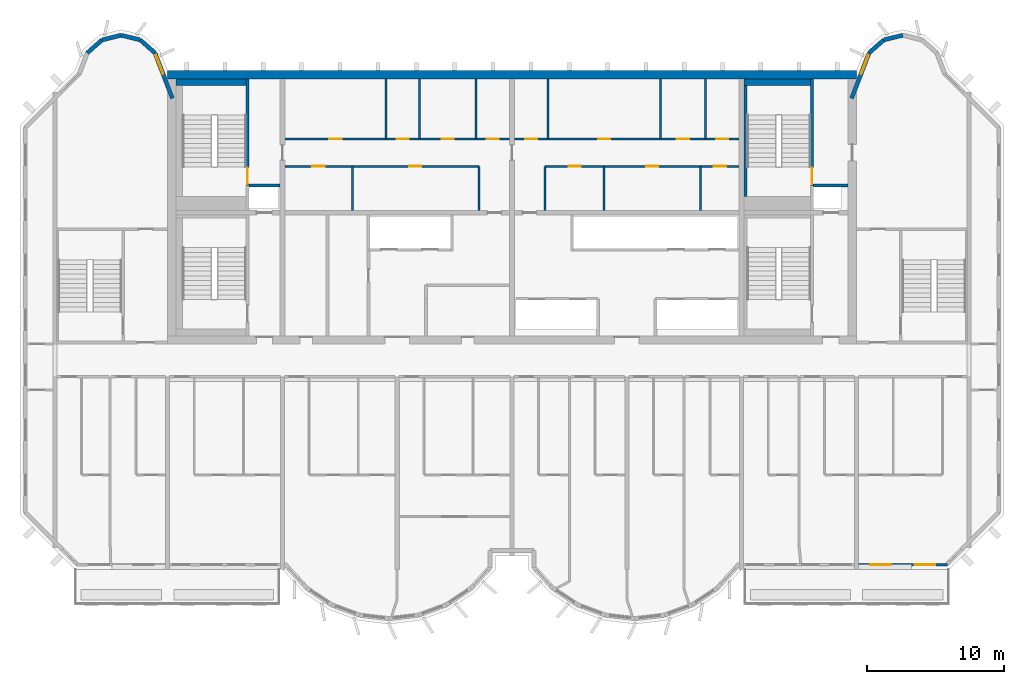
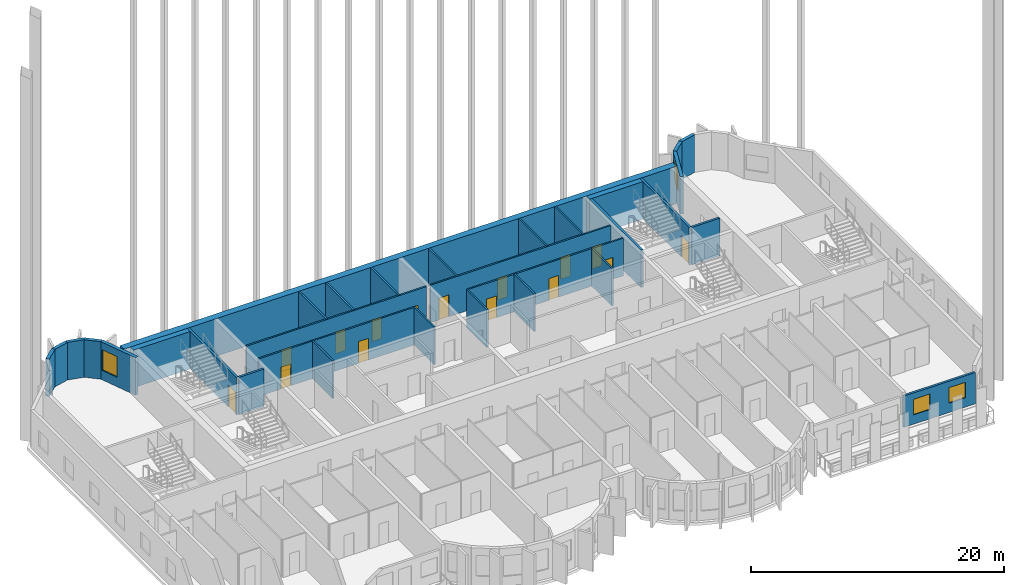
# One storey, part 7 of 13: 32 walls, 15 doors, 4 windows, 19 openings.
"""IFC4 building model written with IfcOpenShell, lengths in metres."""

import ifcopenshell
import ifcopenshell.guid

model = None  # the IFC model being written
_history = None  # IfcOwnerHistory: only IFC2X3 demands one
_inside = {}  # id of a spatial element -> (the spatial element, [elements in it])
_under = {}  # id of a project, library or spatial element -> (it, [spatial elements below it])
_declared = {}  # id of a project -> (the project, [libraries it declares])
_typed = {}  # id of a type object -> (the type object, [elements of that type])
_made_of = {}  # id of a material, layer set ... -> (it, [elements and type objects made of it])


def new_model(schema):
    """Start an empty IFC model of exactly this schema.

    Asked for "IFC4X3", IfcOpenShell would pick the latest addendum, in which some entities
    have other attributes; the version numbers below select the first issue.
    IFC2X3 requires an IfcOwnerHistory on every rooted entity: one is made here for all.
    """
    global model, _history
    if schema == "IFC4X3":
        model = ifcopenshell.file(schema_version=(4, 3, 0, 0))
    else:
        model = ifcopenshell.file(schema=schema)
    _inside.clear()
    _under.clear()
    _declared.clear()
    _typed.clear()
    _made_of.clear()
    _history = None
    if model.schema == "IFC2X3":
        org = make("IfcOrganization", Name="unknown")
        user = make(
            "IfcPersonAndOrganization",
            ThePerson=make("IfcPerson", FamilyName="unknown"),
            TheOrganization=org,
        )
        app = make(
            "IfcApplication",
            ApplicationDeveloper=org,
            Version="unknown",
            ApplicationFullName="unknown",
            ApplicationIdentifier="unknown",
        )
        _history = make(
            "IfcOwnerHistory",
            OwningUser=user,
            OwningApplication=app,
            ChangeAction="ADDED",
            CreationDate=0,
        )
    return model


def make(cls, **values):
    """One entity of the class cls with the attributes given. An attribute that is None is left unset."""
    return model.create_entity(
        cls, **{name: value for name, value in values.items() if value is not None}
    )


def rooted(cls, **values):
    """An entity with a GlobalId (a new one), such as an element, a storey or a relation."""
    return make(cls, GlobalId=ifcopenshell.guid.new(), OwnerHistory=_history, **values)


def si_unit(unit_type, name, prefix=None):
    """IfcSIUnit, for example si_unit("LENGTHUNIT", "METRE", prefix="MILLI")."""
    return make("IfcSIUnit", UnitType=unit_type, Prefix=prefix, Name=name)


def assignment(units):
    """IfcUnitAssignment: the units of a project."""
    return None if units is None else make("IfcUnitAssignment", Units=units)


def point(xyz):
    """IfcCartesianPoint."""
    return None if xyz is None else make("IfcCartesianPoint", Coordinates=xyz)


def direction(xyz):
    """IfcDirection."""
    return None if xyz is None else make("IfcDirection", DirectionRatios=xyz)


def frame(location, z_axis=None, x_axis=None):
    """IfcAxis2Placement3D, a coordinate frame: its origin and axes. An axis left out is left unset."""
    return make(
        "IfcAxis2Placement3D",
        Location=point(location),
        Axis=direction(z_axis),
        RefDirection=direction(x_axis),
    )


def frame_2d(location, x_axis=None):
    """IfcAxis2Placement2D, a coordinate frame in the plane: its origin and x axis."""
    return make(
        "IfcAxis2Placement2D", Location=point(location), RefDirection=direction(x_axis)
    )


def origin():
    """The frame at (0, 0, 0) with its axes left unset."""
    return frame((0.0, 0.0, 0.0))


def place(relative_to, where):
    """IfcLocalPlacement: puts the frame where relative to a parent placement (None: the world)."""
    return make(
        "IfcLocalPlacement", PlacementRelTo=relative_to, RelativePlacement=where
    )


def context(
    kind, dimensions, precision=None, world=None, true_north=None, identifier=None
):
    """IfcGeometricRepresentationContext, for example the 3D "Model" context."""
    return make(
        "IfcGeometricRepresentationContext",
        ContextIdentifier=identifier,
        ContextType=kind,
        CoordinateSpaceDimension=dimensions,
        Precision=precision,
        WorldCoordinateSystem=world,
        TrueNorth=true_north,
    )


def subcontext(parent, identifier, kind, view, scale=None):
    """IfcGeometricRepresentationSubContext, for example "Body" below "Model"."""
    return make(
        "IfcGeometricRepresentationSubContext",
        ContextIdentifier=identifier,
        ContextType=kind,
        ParentContext=parent,
        TargetScale=scale,
        TargetView=view,
    )


def project(units=None, contexts=None):
    """IfcProject with its units and contexts."""
    return rooted(
        "IfcProject",
        Name="project",
        RepresentationContexts=contexts,
        UnitsInContext=assignment(units),
    )


def spatial(cls, under=None, at=None, **own):
    """A site, building, storey or space (cls), placed at a placement, below another one or the project."""
    s = rooted(cls, ObjectPlacement=at, **own)
    if under is not None:
        _under.setdefault(under.id(), (under, []))[1].append(s)
    return s


def profile(cls, at=None, kind="AREA", **sizes):
    """A parametric profile (cls). Its sizes go by their IFC names, for example OverallWidth=200.0."""
    return make(cls, ProfileType=kind, Position=at, **sizes)


def rectangle(**sizes):
    """IfcRectangleProfileDef."""
    return profile("IfcRectangleProfileDef", **sizes)


def extrude(swept, where, along, depth):
    """IfcExtrudedAreaSolid: the profile swept, set in the frame where, extruded along a direction by depth."""
    return make(
        "IfcExtrudedAreaSolid",
        SweptArea=swept,
        Position=where,
        ExtrudedDirection=direction(along),
        Depth=depth,
    )


def shape(context_of_items, identifier, shape_type, items):
    """IfcShapeRepresentation: the items that make up one representation, for example the "Body"."""
    return make(
        "IfcShapeRepresentation",
        ContextOfItems=context_of_items,
        RepresentationIdentifier=identifier,
        RepresentationType=shape_type,
        Items=items,
    )


def source(mapping_origin, context_of_items, identifier, shape_type, items):
    """IfcRepresentationMap: a shape defined once, which mapped items show again and again."""
    return make(
        "IfcRepresentationMap",
        MappingOrigin=mapping_origin,
        MappedRepresentation=shape(context_of_items, identifier, shape_type, items),
    )


def transform(
    local_origin,
    x_axis=None,
    y_axis=None,
    z_axis=None,
    scale=None,
    scale2=None,
    scale3=None,
    uniform=True,
):
    """IfcCartesianTransformationOperator3D, or its non-uniform kind. x_axis, y_axis, z_axis: its Axis1, 2, 3."""
    if uniform:
        return make(
            "IfcCartesianTransformationOperator3D",
            Axis1=direction(x_axis),
            Axis2=direction(y_axis),
            LocalOrigin=point(local_origin),
            Scale=scale,
            Axis3=direction(z_axis),
        )
    return make(
        "IfcCartesianTransformationOperator3DnonUniform",
        Axis1=direction(x_axis),
        Axis2=direction(y_axis),
        LocalOrigin=point(local_origin),
        Scale=scale,
        Axis3=direction(z_axis),
        Scale2=scale2,
        Scale3=scale3,
    )


def mapped(mapping_source, mapping_target):
    """IfcMappedItem: shows the shape of a source again, moved by a transform."""
    return make(
        "IfcMappedItem", MappingSource=mapping_source, MappingTarget=mapping_target
    )


def material(Name=None, Category=None):
    """IfcMaterial."""
    return make("IfcMaterial", Name=Name, Category=Category)


def layer(
    of_material, thickness, ventilated=None, Name=None, Category=None, Priority=None
):
    """IfcMaterialLayer: one layer of a wall or slab, of a material (None: an air gap)."""
    return make(
        "IfcMaterialLayer",
        Material=of_material,
        LayerThickness=thickness,
        IsVentilated=ventilated,
        Name=Name,
        Category=Category,
        Priority=Priority,
    )


def layer_set(layers, Name=None):
    """IfcMaterialLayerSet."""
    return make("IfcMaterialLayerSet", MaterialLayers=layers, LayerSetName=Name)


def made_of(thing, what):
    """Note that an element or type object is made of a material, layer set ...; save() writes the relation."""
    if what is not None:
        _made_of.setdefault(what.id(), (what, []))[1].append(thing)
    return thing


def type_object(cls, material=None, **own):
    """A type object (cls), such as IfcWallType, which elements share."""
    return made_of(rooted(cls, **own), material)


def element(
    cls,
    number,
    at=None,
    inside=None,
    cuts=None,
    type_object=None,
    material=None,
    context=None,
    identifier="Body",
    shape_type=None,
    held_by="IfcProductDefinitionShape",
    body=None,
    shapes=None,
    **own,
):
    """One element of the class cls, such as IfcWall. Its Tag is "e" and its number.

    at: its placement. inside: the storey or other place that contains it. cuts: it is an
    opening in that element (IfcRelVoidsElement). A single representation is given by context,
    identifier, shape_type and body (its items); several are given by shapes. held_by: the class
    of the entity that holds the representations. save() writes the other relations.
    """
    e = rooted(cls, Tag="e%d" % number, ObjectPlacement=at, **own)
    if body is not None:
        shapes = [shape(context, identifier, shape_type, body)]
    if shapes is not None:
        e.Representation = make(held_by, Representations=shapes)
    if inside is not None:
        _inside.setdefault(inside.id(), (inside, []))[1].append(e)
    if cuts is not None:
        rooted(
            "IfcRelVoidsElement", RelatingBuildingElement=cuts, RelatedOpeningElement=e
        )
    if type_object is not None:
        _typed.setdefault(type_object.id(), (type_object, []))[1].append(e)
    return made_of(e, material)


def fill(opening, filler):
    """IfcRelFillsElement: the door or window that sits in an opening."""
    return rooted(
        "IfcRelFillsElement",
        RelatingOpeningElement=opening,
        RelatedBuildingElement=filler,
    )


def aggregate(whole, parts):
    """IfcRelAggregates: a whole, such as a stair, and the parts it consists of."""
    return rooted("IfcRelAggregates", RelatingObject=whole, RelatedObjects=parts)


def save(model, path):
    """Write the relations noted so far, then the file.

    IfcRelAggregates (storeys below a building ...), IfcRelContainedInSpatialStructure (elements
    in a storey), IfcRelDefinesByType, IfcRelAssociatesMaterial and IfcRelDeclares: one each for
    every whole, place, type object, material and project.
    """
    for whole, parts in _under.values():
        aggregate(whole, parts)
    for where, things in _inside.values():
        rooted(
            "IfcRelContainedInSpatialStructure",
            RelatedElements=things,
            RelatingStructure=where,
        )
    for kind, things in _typed.values():
        rooted("IfcRelDefinesByType", RelatedObjects=things, RelatingType=kind)
    for what, things in _made_of.values():
        rooted("IfcRelAssociatesMaterial", RelatedObjects=things, RelatingMaterial=what)
    for by, libraries in _declared.values():
        rooted("IfcRelDeclares", RelatingContext=by, RelatedDefinitions=libraries)
    model.write(path)


model = new_model("IFC4")

# Units and contexts
model_context = context("Model", 3, precision=1e-05, world=origin(), true_north=direction((0.0, 1.0)))
body_context = subcontext(model_context, "Body", "Model", "MODEL_VIEW")
ifc_project = project(units=[si_unit("LENGTHUNIT", "METRE"), si_unit("AREAUNIT", "SQUARE_METRE"), si_unit("VOLUMEUNIT", "CUBIC_METRE"), si_unit("PLANEANGLEUNIT", "RADIAN"), si_unit("MASSUNIT", "GRAM", prefix="KILO")], contexts=[model_context])

# Site, building, storey
site_placement = place(None, origin())
site = spatial("IfcSite", under=ifc_project, at=site_placement, CompositionType="ELEMENT")
building_placement = place(site_placement, origin())
building = spatial("IfcBuilding", under=site, at=building_placement, Name="Vanashikhar Sky Hotel", CompositionType="ELEMENT")
storey_placement = place(building_placement, frame((0.0, 0.0, 214.0)))
storey = spatial("IfcBuildingStorey", under=building, at=storey_placement, Name="L51", CompositionType="ELEMENT", Elevation=214.0)

# Wall
ifc_material_1 = material(Name="Concrete M60", Category="concrete")
ifc_layer_1 = layer(ifc_material_1, 0.60009765625)
ifc_layer_set_1 = layer_set([ifc_layer_1], Name="RC core shell wall 600 Concrete M60")
wall_type_1 = type_object("IfcWallType", Name="RC core shell wall 600 Concrete M60", PredefinedType="SHEAR", material=ifc_layer_set_1)
shared_shape_1 = source(origin(), body_context, "Body", "SweptSolid", [
    extrude(rectangle(XDim=50.400146484375, YDim=0.60009765625, at=frame_2d((25.2001953125, 0.0))), origin(), (0.0, 0.0, 1.0), 3.6201171875),
])
wall_1_placement = place(storey_placement, frame((25.199951171875, 41.699951171875, 0.0), z_axis=(0.0, 0.0, 1.0), x_axis=(1.0, 0.0, 0.0)))
element("IfcWall", 1, at=wall_1_placement, inside=storey, type_object=wall_type_1, Name="KW-L51-KN", PredefinedType="SHEAR", context=body_context, shape_type="MappedRepresentation", body=[
    mapped(shared_shape_1, transform((0.0, 0.0, 0.0), scale=1.0)),
])

# Wall, openings, windows
ifc_material_2 = material(Name="Concrete M50", Category="concrete")
ifc_layer_2 = layer(ifc_material_2, 0.199951171875)
ifc_layer_set_2 = layer_set([ifc_layer_2], Name="Front window wall 200")
wall_type_2 = type_object("IfcWallType", Name="Front window wall 200", PredefinedType="SOLIDWALL", material=ifc_layer_set_2)
shared_shape_2 = source(origin(), body_context, "Body", "SweptSolid", [
    extrude(rectangle(XDim=6.5048828125, YDim=0.199951171875, at=frame_2d((3.25244140625, 0.0))), origin(), (0.0, 0.0, 1.0), 3.02001953125),
])
wall_2_placement = place(storey_placement, frame((75.75, 5.85009765625, 0.0), z_axis=(0.0, 0.0, 1.0), x_axis=(1.0, 0.0, 0.0)))
wall_2 = element("IfcWall", 2, at=wall_2_placement, inside=storey, type_object=wall_type_2, Name="Front window wall", PredefinedType="SOLIDWALL", context=body_context, shape_type="MappedRepresentation", body=[
    mapped(shared_shape_2, transform((0.0, 0.0, 0.0), scale=1.0)),
])
shared_shape_3 = source(origin(), body_context, "Body", "SweptSolid", [
    extrude(rectangle(XDim=1.5, YDim=1.5, at=frame_2d((0.75, 0.75))), frame((0.0, 0.10986328125, 0.0), z_axis=(0.0, -1.0, 0.0), x_axis=(1.0, 0.0, 0.0)), (0.0, 0.0, 1.0), 0.219970703125),
])
opening_1_placement = place(wall_2_placement, frame((0.876220703125, 0.0, 0.89990234375)))
opening_1 = element("IfcOpeningElement", 3, at=opening_1_placement, cuts=wall_2, Name="Opening WN-1", PredefinedType="OPENING", context=body_context, shape_type="MappedRepresentation", body=[
    mapped(shared_shape_3, transform((0.0, 0.0, 0.0), scale=1.0)),
])
opening_2_placement = place(wall_2_placement, frame((4.128662109375, 0.0, 0.89990234375)))
opening_2 = element("IfcOpeningElement", 4, at=opening_2_placement, cuts=wall_2, Name="Opening WN-1", PredefinedType="OPENING", context=body_context, shape_type="MappedRepresentation", body=[
    mapped(shared_shape_3, transform((0.0, 0.0, 0.0), scale=1.0)),
])
ifc_material_3 = material(Name="Glass", Category="glass")
window_type_1 = type_object("IfcWindowType", Name="Window 1500 x 1500", PartitioningType="SINGLE_PANEL", PredefinedType="WINDOW", material=ifc_material_3)
shared_shape_4 = source(origin(), body_context, "Body", "SweptSolid", [
    extrude(rectangle(XDim=1.5, YDim=1.5, at=frame_2d((0.75, 0.75))), frame((0.0, 0.030029296875, 0.0), z_axis=(0.0, -1.0, 0.0), x_axis=(1.0, 0.0, 0.0)), (0.0, 0.0, 1.0), 0.06005859375),
])
window_1_placement = place(opening_1_placement, origin())
window_1 = element("IfcWindow", 5, at=window_1_placement, inside=storey, type_object=window_type_1, Name="Window WN-1", OverallHeight=1.5, OverallWidth=1.5, PartitioningType="SINGLE_PANEL", PredefinedType="WINDOW", context=body_context, shape_type="MappedRepresentation", body=[
    mapped(shared_shape_4, transform((0.0, 0.0, 0.0), scale=1.0)),
])
fill(opening_1, window_1)
window_2_placement = place(opening_2_placement, origin())
window_2 = element("IfcWindow", 6, at=window_2_placement, inside=storey, type_object=window_type_1, Name="Window WN-1", OverallHeight=1.5, OverallWidth=1.5, PartitioningType="SINGLE_PANEL", PredefinedType="WINDOW", context=body_context, shape_type="MappedRepresentation", body=[
    mapped(shared_shape_4, transform((0.0, 0.0, 0.0), scale=1.0)),
])
fill(opening_2, window_2)

# Walls
ifc_layer_3 = layer(ifc_material_2, 0.300048828125)
ifc_layer_set_3 = layer_set([ifc_layer_3], Name="Lobe wall 300")
wall_type_3 = type_object("IfcWallType", Name="Lobe wall 300", PredefinedType="SOLIDWALL", material=ifc_layer_set_3)
shared_shape_5 = source(origin(), body_context, "Body", "SweptSolid", [
    extrude(rectangle(XDim=1.43994140625, YDim=0.300048828125, at=frame_2d((0.719970703125, 0.0))), origin(), (0.0, 0.0, 1.0), 3.6201171875),
])
for number, where, z_axis, x_axis, name in (
    (7, (77.602783203125, 44.2451171875, 0.0), (0.0, 0.0, 1.0), (-0.74957555648, -0.661918790432, 0.0), "Lobe wall"),
    (8, (20.40283203125, 44.2451171875, 0.0), (0.0, 0.0, 1.0), (-0.74957555648, -0.661918790432, 0.0), "Lobe wall"),
):
    element("IfcWall", number, at=place(storey_placement, frame(where, z_axis=z_axis, x_axis=x_axis)), inside=storey, type_object=wall_type_3, Name=name, PredefinedType="SOLIDWALL", context=body_context, shape_type="MappedRepresentation", body=[
        mapped(shared_shape_5, transform((0.0, 0.0, 0.0), scale=1.0)),
    ])
shared_shape_6 = source(origin(), body_context, "Body", "SweptSolid", [
    extrude(rectangle(XDim=1.438720703125, YDim=0.300048828125, at=frame_2d((0.71923828125, 0.0))), origin(), (0.0, 0.0, 1.0), 3.6201171875),
])
for number, where, z_axis, x_axis, name in (
    (9, (79.0, 44.588134765625, 0.0), (0.0, 0.0, 1.0), (-0.971161932466, -0.238420848351, 0.0), "Lobe wall"),
    (10, (21.800048828125, 44.588134765625, 0.0), (0.0, 0.0, 1.0), (-0.971161932466, -0.238420848351, 0.0), "Lobe wall"),
):
    element("IfcWall", number, at=place(storey_placement, frame(where, z_axis=z_axis, x_axis=x_axis)), inside=storey, type_object=wall_type_3, Name=name, PredefinedType="SOLIDWALL", context=body_context, shape_type="MappedRepresentation", body=[
        mapped(shared_shape_6, transform((0.0, 0.0, 0.0), scale=1.0)),
    ])

# Wall, opening, window
shared_shape_7 = source(origin(), body_context, "Body", "SweptSolid", [
    extrude(rectangle(XDim=3.55908203125, YDim=0.300048828125, at=frame_2d((1.779541015625, 0.0))), origin(), (0.0, 0.0, 1.0), 3.6201171875),
])
wall_3_placement = place(storey_placement, frame((76.5234375, 43.2919921875, 0.0), z_axis=(0.0, 0.0, 1.0), x_axis=(-0.35779745313, -0.933799219604, 0.0)))
wall_3 = element("IfcWall", 11, at=wall_3_placement, inside=storey, type_object=wall_type_3, Name="Lobe wall", PredefinedType="SOLIDWALL", context=body_context, shape_type="MappedRepresentation", body=[
    mapped(shared_shape_7, transform((0.0, 0.0, 0.0), scale=1.0)),
])
shared_shape_8 = source(origin(), body_context, "Body", "SweptSolid", [
    extrude(rectangle(XDim=1.5, YDim=2.0, at=frame_2d((0.75, 1.0))), frame((0.0, 0.16015625, 0.0), z_axis=(0.0, -1.0, 0.0), x_axis=(1.0, 0.0, 0.0)), (0.0, 0.0, 1.0), 0.320068359375),
])
opening_3_placement = place(wall_3_placement, frame((0.156005859375, 0.0, 0.89990234375)))
opening_3 = element("IfcOpeningElement", 12, at=opening_3_placement, cuts=wall_3, Name="Opening WN-2", PredefinedType="OPENING", context=body_context, shape_type="MappedRepresentation", body=[
    mapped(shared_shape_8, transform((0.0, 0.0, 0.0), scale=1.0)),
])
window_type_2 = type_object("IfcWindowType", Name="Lobe window 1500 x 2000", PartitioningType="SINGLE_PANEL", PredefinedType="WINDOW", material=ifc_material_3)
shared_shape_9 = source(origin(), body_context, "Body", "SweptSolid", [
    extrude(rectangle(XDim=1.5, YDim=2.0, at=frame_2d((0.75, 1.0))), frame((0.0, 0.030029296875, 0.0), z_axis=(0.0, -1.0, 0.0), x_axis=(1.0, 0.0, 0.0)), (0.0, 0.0, 1.0), 0.06005859375),
])
window_3_placement = place(opening_3_placement, origin())
window_3 = element("IfcWindow", 13, at=window_3_placement, inside=storey, type_object=window_type_2, Name="Window WN-2", OverallHeight=2.0, OverallWidth=1.5, PartitioningType="SINGLE_PANEL", PredefinedType="WINDOW", context=body_context, shape_type="MappedRepresentation", body=[
    mapped(shared_shape_9, transform((0.0, 0.0, 0.0), scale=1.0)),
])
fill(opening_3, window_3)

wall_4_placement = place(storey_placement, frame((25.550048828125, 39.968505859375, 0.0), z_axis=(0.0, 0.0, 1.0), x_axis=(-0.35779745313, 0.933799219604, 0.0)))
wall_4 = element("IfcWall", 14, at=wall_4_placement, inside=storey, type_object=wall_type_3, Name="Lobe wall", PredefinedType="SOLIDWALL", context=body_context, shape_type="MappedRepresentation", body=[
    mapped(shared_shape_7, transform((0.0, 0.0, 0.0), scale=1.0)),
])
opening_4_placement = place(wall_4_placement, frame((1.9033203125, 0.0, 0.89990234375)))
opening_4 = element("IfcOpeningElement", 15, at=opening_4_placement, cuts=wall_4, Name="Opening WN-2", PredefinedType="OPENING", context=body_context, shape_type="MappedRepresentation", body=[
    mapped(shared_shape_8, transform((0.0, 0.0, 0.0), scale=1.0)),
])
window_4_placement = place(opening_4_placement, origin())
window_4 = element("IfcWindow", 16, at=window_4_placement, inside=storey, type_object=window_type_2, Name="Window WN-2", OverallHeight=2.0, OverallWidth=1.5, PartitioningType="SINGLE_PANEL", PredefinedType="WINDOW", context=body_context, shape_type="MappedRepresentation", body=[
    mapped(shared_shape_9, transform((0.0, 0.0, 0.0), scale=1.0)),
])
fill(opening_4, window_4)

# Walls
shared_shape_10 = source(origin(), body_context, "Body", "SweptSolid", [
    extrude(rectangle(XDim=1.440185546875, YDim=0.300048828125, at=frame_2d((0.72021484375, 0.0))), origin(), (0.0, 0.0, 1.0), 3.6201171875),
])
wall_5_placement = place(storey_placement, frame((24.276611328125, 43.2919921875, 0.0), z_axis=(0.0, 0.0, 1.0), x_axis=(-0.749649827867, 0.661834673902, 0.0)))
element("IfcWall", 17, at=wall_5_placement, inside=storey, type_object=wall_type_3, Name="Lobe wall", PredefinedType="SOLIDWALL", context=body_context, shape_type="MappedRepresentation", body=[
    mapped(shared_shape_10, transform((0.0, 0.0, 0.0), scale=1.0)),
])
shared_shape_11 = source(origin(), body_context, "Body", "SweptSolid", [
    extrude(rectangle(XDim=1.4384765625, YDim=0.300048828125, at=frame_2d((0.71923828125, 0.0))), origin(), (0.0, 0.0, 1.0), 3.6201171875),
])
wall_6_placement = place(storey_placement, frame((23.197021484375, 44.2451171875, 0.0), z_axis=(0.0, 0.0, 1.0), x_axis=(-0.971152283879, 0.238460146601, 0.0)))
element("IfcWall", 18, at=wall_6_placement, inside=storey, type_object=wall_type_3, Name="Lobe wall", PredefinedType="SOLIDWALL", context=body_context, shape_type="MappedRepresentation", body=[
    mapped(shared_shape_11, transform((0.0, 0.0, 0.0), scale=1.0)),
])
ifc_material_4 = material(Name="Gypsum board partition")
ifc_layer_4 = layer(ifc_material_4, 0.14990234375)
ifc_layer_set_4 = layer_set([ifc_layer_4], Name="Service partition 150")
wall_type_4 = type_object("IfcWallType", Name="Service partition 150", PredefinedType="PARTITIONING", material=ifc_layer_set_4)
shared_shape_12 = source(origin(), body_context, "Body", "SweptSolid", [
    extrude(rectangle(XDim=3.22509765625, YDim=0.14990234375, at=frame_2d((1.612548828125, 0.0))), origin(), (0.0, 0.0, 1.0), 3.6201171875),
])
for number, where, z_axis, x_axis, name in (
    (19, (48.0, 31.77490234375, 0.0), (0.0, 0.0, 1.0), (0.0, 1.0, 0.0), "Service partition 150"),
    (20, (38.72705078125, 31.77490234375, 0.0), (0.0, 0.0, 1.0), (0.0, 1.0, 0.0), "Service partition 150"),
    (21, (52.800048828125, 31.77490234375, 0.0), (0.0, 0.0, 1.0), (0.0, 1.0, 0.0), "Service partition 150"),
    (22, (64.195068359375, 31.77490234375, 0.0), (0.0, 0.0, 1.0), (0.0, 1.0, 0.0), "Service partition 150"),
    (23, (57.1201171875, 31.77490234375, 0.0), (0.0, 0.0, 1.0), (0.0, 1.0, 0.0), "Service partition 150"),
):
    element("IfcWall", number, at=place(storey_placement, frame(where, z_axis=z_axis, x_axis=x_axis)), inside=storey, type_object=wall_type_4, Name=name, PredefinedType="PARTITIONING", context=body_context, shape_type="MappedRepresentation", body=[
        mapped(shared_shape_12, transform((0.0, 0.0, 0.0), scale=1.0)),
    ])

# Wall, openings, doors
shared_shape_13 = source(origin(), body_context, "Body", "SweptSolid", [
    extrude(rectangle(XDim=14.22509765625, YDim=0.14990234375, at=frame_2d((7.112548828125, 0.0))), origin(), (0.0, 0.0, 1.0), 3.6201171875),
])
wall_7_placement = place(storey_placement, frame((33.77490234375, 35.0, 0.0), z_axis=(0.0, 0.0, 1.0), x_axis=(1.0, 0.0, 0.0)))
wall_7 = element("IfcWall", 24, at=wall_7_placement, inside=storey, type_object=wall_type_4, Name="Service partition 150", PredefinedType="PARTITIONING", context=body_context, shape_type="MappedRepresentation", body=[
    mapped(shared_shape_13, transform((0.0, 0.0, 0.0), scale=1.0)),
])
shared_shape_14 = source(origin(), body_context, "Body", "SweptSolid", [
    extrude(rectangle(XDim=0.89990234375, YDim=2.10009765625, at=frame_2d((0.449951171875, 1.050048828125))), frame((0.0, 0.0849609375, 0.0), z_axis=(0.0, -1.0, 0.0), x_axis=(1.0, 0.0, 0.0)), (0.0, 0.0, 1.0), 0.169921875),
])
opening_5_placement = place(wall_7_placement, frame((2.02587890625, 0.0, 0.0)))
opening_5 = element("IfcOpeningElement", 25, at=opening_5_placement, cuts=wall_7, Name="Opening DC-4-A", PredefinedType="OPENING", context=body_context, shape_type="MappedRepresentation", body=[
    mapped(shared_shape_14, transform((0.0, 0.0, 0.0), scale=1.0)),
])
opening_6_placement = place(wall_7_placement, frame((9.10107421875, 0.0, 0.0)))
opening_6 = element("IfcOpeningElement", 26, at=opening_6_placement, cuts=wall_7, Name="Opening DC-4-A", PredefinedType="OPENING", context=body_context, shape_type="MappedRepresentation", body=[
    mapped(shared_shape_14, transform((0.0, 0.0, 0.0), scale=1.0)),
])
ifc_material_5 = material(Name="Steel", Category="steel")
door_type_1 = type_object("IfcDoorType", Name="Service door 900 FD60", OperationType="NOTDEFINED", PredefinedType="DOOR", material=ifc_material_5)
shared_shape_15 = source(origin(), body_context, "Body", "SweptSolid", [
    extrude(rectangle(XDim=0.89990234375, YDim=2.10009765625, at=frame_2d((0.449951171875, 1.050048828125))), frame((0.0, 0.02490234375, 0.0), z_axis=(0.0, -1.0, 0.0), x_axis=(1.0, 0.0, 0.0)), (0.0, 0.0, 1.0), 0.050048828125),
])
door_1_placement = place(opening_5_placement, origin())
door_1 = element("IfcDoor", 27, at=door_1_placement, inside=storey, type_object=door_type_1, Name="Service door 900 FD60", OperationType="SINGLE_SWING_LEFT", OverallHeight=2.10009765625, OverallWidth=0.89990234375, PredefinedType="DOOR", context=body_context, shape_type="MappedRepresentation", body=[
    mapped(shared_shape_15, transform((0.0, 0.0, 0.0), scale=1.0)),
])
fill(opening_5, door_1)
door_2_placement = place(opening_6_placement, origin())
door_2 = element("IfcDoor", 28, at=door_2_placement, inside=storey, type_object=door_type_1, Name="Service door 900 FD60", OperationType="SINGLE_SWING_RIGHT", OverallHeight=2.10009765625, OverallWidth=0.89990234375, PredefinedType="DOOR", context=body_context, shape_type="MappedRepresentation", body=[
    mapped(shared_shape_15, transform((0.0, 0.0, 0.0), scale=1.0)),
])
fill(opening_6, door_2)

shared_shape_16 = source(origin(), body_context, "Body", "SweptSolid", [
    extrude(rectangle(XDim=16.4501953125, YDim=0.14990234375, at=frame_2d((8.22509765625, 0.0))), origin(), (0.0, 0.0, 1.0), 3.6201171875),
])
wall_8_placement = place(storey_placement, frame((33.77490234375, 37.0, 0.0), z_axis=(0.0, 0.0, 1.0), x_axis=(1.0, 0.0, 0.0)))
wall_8 = element("IfcWall", 29, at=wall_8_placement, inside=storey, type_object=wall_type_4, Name="Service partition 150", PredefinedType="PARTITIONING", context=body_context, shape_type="MappedRepresentation", body=[
    mapped(shared_shape_16, transform((0.0, 0.0, 0.0), scale=1.0)),
])
opening_7_placement = place(wall_8_placement, frame((3.2509765625, 0.0, 0.0)))
opening_7 = element("IfcOpeningElement", 30, at=opening_7_placement, cuts=wall_8, Name="Opening DC-4-A", PredefinedType="OPENING", context=body_context, shape_type="MappedRepresentation", body=[
    mapped(shared_shape_14, transform((0.0, 0.0, 0.0), scale=1.0)),
])
opening_8_placement = place(wall_8_placement, frame((8.18603515625, 0.0, 0.0)))
opening_8 = element("IfcOpeningElement", 31, at=opening_8_placement, cuts=wall_8, Name="Opening DC-4-A", PredefinedType="OPENING", context=body_context, shape_type="MappedRepresentation", body=[
    mapped(shared_shape_14, transform((0.0, 0.0, 0.0), scale=1.0)),
])
opening_9_placement = place(wall_8_placement, frame((11.47607421875, 0.0, 0.0)))
opening_9 = element("IfcOpeningElement", 32, at=opening_9_placement, cuts=wall_8, Name="Opening DC-4-A", PredefinedType="OPENING", context=body_context, shape_type="MappedRepresentation", body=[
    mapped(shared_shape_14, transform((0.0, 0.0, 0.0), scale=1.0)),
])
opening_10_placement = place(wall_8_placement, frame((14.76611328125, 0.0, 0.0)))
opening_10 = element("IfcOpeningElement", 33, at=opening_10_placement, cuts=wall_8, Name="Opening DC-4-A", PredefinedType="OPENING", context=body_context, shape_type="MappedRepresentation", body=[
    mapped(shared_shape_14, transform((0.0, 0.0, 0.0), scale=1.0)),
])
door_3_placement = place(opening_7_placement, origin())
door_3 = element("IfcDoor", 34, at=door_3_placement, inside=storey, type_object=door_type_1, Name="Service door 900 FD60", OperationType="SINGLE_SWING_LEFT", OverallHeight=2.10009765625, OverallWidth=0.89990234375, PredefinedType="DOOR", context=body_context, shape_type="MappedRepresentation", body=[
    mapped(shared_shape_15, transform((0.0, 0.0, 0.0), scale=1.0)),
])
fill(opening_7, door_3)
door_4_placement = place(opening_8_placement, origin())
door_4 = element("IfcDoor", 35, at=door_4_placement, inside=storey, type_object=door_type_1, Name="Service door 900 FD60", OperationType="SINGLE_SWING_LEFT", OverallHeight=2.10009765625, OverallWidth=0.89990234375, PredefinedType="DOOR", context=body_context, shape_type="MappedRepresentation", body=[
    mapped(shared_shape_15, transform((0.0, 0.0, 0.0), scale=1.0)),
])
fill(opening_8, door_4)
door_5_placement = place(opening_9_placement, origin())
door_5 = element("IfcDoor", 36, at=door_5_placement, inside=storey, type_object=door_type_1, Name="Service door 900 FD60", OperationType="SINGLE_SWING_LEFT", OverallHeight=2.10009765625, OverallWidth=0.89990234375, PredefinedType="DOOR", context=body_context, shape_type="MappedRepresentation", body=[
    mapped(shared_shape_15, transform((0.0, 0.0, 0.0), scale=1.0)),
])
fill(opening_9, door_5)
door_6_placement = place(opening_10_placement, origin())
door_6 = element("IfcDoor", 37, at=door_6_placement, inside=storey, type_object=door_type_1, Name="Service door 900 FD60", OperationType="SINGLE_SWING_LEFT", OverallHeight=2.10009765625, OverallWidth=0.89990234375, PredefinedType="DOOR", context=body_context, shape_type="MappedRepresentation", body=[
    mapped(shared_shape_15, transform((0.0, 0.0, 0.0), scale=1.0)),
])
fill(opening_10, door_6)

# Walls
shared_shape_17 = source(origin(), body_context, "Body", "SweptSolid", [
    extrude(rectangle(XDim=4.39990234375, YDim=0.14990234375, at=frame_2d((2.199951171875, 0.0))), origin(), (0.0, 0.0, 1.0), 3.6201171875),
])
for number, where, z_axis, x_axis, name in (
    (38, (41.177978515625, 37.0, 0.0), (0.0, 0.0, 1.0), (0.0, 1.0, 0.0), "Service partition 150"),
    (39, (43.64501953125, 37.0, 0.0), (0.0, 0.0, 1.0), (0.0, 1.0, 0.0), "Service partition 150"),
    (40, (47.758056640625, 37.0, 0.0), (0.0, 0.0, 1.0), (0.0, 1.0, 0.0), "Service partition 150"),
    (41, (64.55810546875, 37.0, 0.0), (0.0, 0.0, 1.0), (0.0, 1.0, 0.0), "Service partition 150"),
    (42, (61.26708984375, 37.0, 0.0), (0.0, 0.0, 1.0), (0.0, 1.0, 0.0), "Service partition 150"),
    (43, (53.0419921875, 37.0, 0.0), (0.0, 0.0, 1.0), (0.0, 1.0, 0.0), "Service partition 150"),
):
    element("IfcWall", number, at=place(storey_placement, frame(where, z_axis=z_axis, x_axis=x_axis)), inside=storey, type_object=wall_type_4, Name=name, PredefinedType="PARTITIONING", context=body_context, shape_type="MappedRepresentation", body=[
        mapped(shared_shape_17, transform((0.0, 0.0, 0.0), scale=1.0)),
    ])

# Wall, openings, doors
shared_shape_18 = source(origin(), body_context, "Body", "SweptSolid", [
    extrude(rectangle(XDim=14.224853515625, YDim=0.14990234375, at=frame_2d((7.1123046875, 0.0))), origin(), (0.0, 0.0, 1.0), 3.6201171875),
])
wall_9_placement = place(storey_placement, frame((67.02490234375, 35.0, 0.0), z_axis=(0.0, 0.0, 1.0), x_axis=(-1.0, 0.0, 0.0)))
wall_9 = element("IfcWall", 44, at=wall_9_placement, inside=storey, type_object=wall_type_4, Name="Service partition 150", PredefinedType="PARTITIONING", context=body_context, shape_type="MappedRepresentation", body=[
    mapped(shared_shape_18, transform((0.0, 0.0, 0.0), scale=1.0)),
])
opening_11_placement = place(wall_9_placement, frame((0.965087890625, 0.0, 0.0)))
opening_11 = element("IfcOpeningElement", 45, at=opening_11_placement, cuts=wall_9, Name="Opening DC-4-A", PredefinedType="OPENING", context=body_context, shape_type="MappedRepresentation", body=[
    mapped(shared_shape_14, transform((0.0, 0.0, 0.0), scale=1.0)),
])
opening_12_placement = place(wall_9_placement, frame((5.91796875, 0.0, 0.0)))
opening_12 = element("IfcOpeningElement", 46, at=opening_12_placement, cuts=wall_9, Name="Opening DC-4-A", PredefinedType="OPENING", context=body_context, shape_type="MappedRepresentation", body=[
    mapped(shared_shape_14, transform((0.0, 0.0, 0.0), scale=1.0)),
])
opening_13_placement = place(wall_9_placement, frame((11.576904296875, 0.0, 0.0)))
opening_13 = element("IfcOpeningElement", 47, at=opening_13_placement, cuts=wall_9, Name="Opening DC-4-A", PredefinedType="OPENING", context=body_context, shape_type="MappedRepresentation", body=[
    mapped(shared_shape_14, transform((0.0, 0.0, 0.0), scale=1.0)),
])
door_7_placement = place(opening_11_placement, origin())
door_7 = element("IfcDoor", 48, at=door_7_placement, inside=storey, type_object=door_type_1, Name="Service door 900 FD60", OperationType="SINGLE_SWING_RIGHT", OverallHeight=2.10009765625, OverallWidth=0.89990234375, PredefinedType="DOOR", context=body_context, shape_type="MappedRepresentation", body=[
    mapped(shared_shape_15, transform((0.0, 0.0, 0.0), scale=1.0)),
])
fill(opening_11, door_7)
door_8_placement = place(opening_12_placement, origin())
door_8 = element("IfcDoor", 49, at=door_8_placement, inside=storey, type_object=door_type_1, Name="Service door 900 FD60", OperationType="SINGLE_SWING_RIGHT", OverallHeight=2.10009765625, OverallWidth=0.89990234375, PredefinedType="DOOR", context=body_context, shape_type="MappedRepresentation", body=[
    mapped(shared_shape_15, transform((0.0, 0.0, 0.0), scale=1.0)),
])
fill(opening_12, door_8)
door_9_placement = place(opening_13_placement, origin())
door_9 = element("IfcDoor", 50, at=door_9_placement, inside=storey, type_object=door_type_1, Name="Service door 900 FD60", OperationType="SINGLE_SWING_RIGHT", OverallHeight=2.10009765625, OverallWidth=0.89990234375, PredefinedType="DOOR", context=body_context, shape_type="MappedRepresentation", body=[
    mapped(shared_shape_15, transform((0.0, 0.0, 0.0), scale=1.0)),
])
fill(opening_13, door_9)

shared_shape_19 = source(origin(), body_context, "Body", "SweptSolid", [
    extrude(rectangle(XDim=16.449951171875, YDim=0.14990234375, at=frame_2d((8.22509765625, 0.0))), origin(), (0.0, 0.0, 1.0), 3.6201171875),
])
wall_10_placement = place(storey_placement, frame((67.02490234375, 37.0, 0.0), z_axis=(0.0, 0.0, 1.0), x_axis=(-1.0, 0.0, 0.0)))
wall_10 = element("IfcWall", 51, at=wall_10_placement, inside=storey, type_object=wall_type_4, Name="Service partition 150", PredefinedType="PARTITIONING", context=body_context, shape_type="MappedRepresentation", body=[
    mapped(shared_shape_19, transform((0.0, 0.0, 0.0), scale=1.0)),
])
opening_14_placement = place(wall_10_placement, frame((0.783935546875, 0.0, 0.0)))
opening_14 = element("IfcOpeningElement", 52, at=opening_14_placement, cuts=wall_10, Name="Opening DC-4-A", PredefinedType="OPENING", context=body_context, shape_type="MappedRepresentation", body=[
    mapped(shared_shape_14, transform((0.0, 0.0, 0.0), scale=1.0)),
])
opening_15_placement = place(wall_10_placement, frame((3.6630859375, 0.0, 0.0)))
opening_15 = element("IfcOpeningElement", 53, at=opening_15_placement, cuts=wall_10, Name="Opening DC-4-A", PredefinedType="OPENING", context=body_context, shape_type="MappedRepresentation", body=[
    mapped(shared_shape_14, transform((0.0, 0.0, 0.0), scale=1.0)),
])
opening_16_placement = place(wall_10_placement, frame((9.419921875, 0.0, 0.0)))
opening_16 = element("IfcOpeningElement", 54, at=opening_16_placement, cuts=wall_10, Name="Opening DC-4-A", PredefinedType="OPENING", context=body_context, shape_type="MappedRepresentation", body=[
    mapped(shared_shape_14, transform((0.0, 0.0, 0.0), scale=1.0)),
])
opening_17_placement = place(wall_10_placement, frame((14.76611328125, 0.0, 0.0)))
opening_17 = element("IfcOpeningElement", 55, at=opening_17_placement, cuts=wall_10, Name="Opening DC-4-A", PredefinedType="OPENING", context=body_context, shape_type="MappedRepresentation", body=[
    mapped(shared_shape_14, transform((0.0, 0.0, 0.0), scale=1.0)),
])
door_10_placement = place(opening_14_placement, origin())
door_10 = element("IfcDoor", 56, at=door_10_placement, inside=storey, type_object=door_type_1, Name="Service door 900 FD60", OperationType="SINGLE_SWING_LEFT", OverallHeight=2.10009765625, OverallWidth=0.89990234375, PredefinedType="DOOR", context=body_context, shape_type="MappedRepresentation", body=[
    mapped(shared_shape_15, transform((0.0, 0.0, 0.0), scale=1.0)),
])
fill(opening_14, door_10)
door_11_placement = place(opening_15_placement, origin())
door_11 = element("IfcDoor", 57, at=door_11_placement, inside=storey, type_object=door_type_1, Name="Service door 900 FD60", OperationType="SINGLE_SWING_LEFT", OverallHeight=2.10009765625, OverallWidth=0.89990234375, PredefinedType="DOOR", context=body_context, shape_type="MappedRepresentation", body=[
    mapped(shared_shape_15, transform((0.0, 0.0, 0.0), scale=1.0)),
])
fill(opening_15, door_11)
door_12_placement = place(opening_16_placement, origin())
door_12 = element("IfcDoor", 58, at=door_12_placement, inside=storey, type_object=door_type_1, Name="Service door 900 FD60", OperationType="SINGLE_SWING_LEFT", OverallHeight=2.10009765625, OverallWidth=0.89990234375, PredefinedType="DOOR", context=body_context, shape_type="MappedRepresentation", body=[
    mapped(shared_shape_15, transform((0.0, 0.0, 0.0), scale=1.0)),
])
fill(opening_16, door_12)
door_13_placement = place(opening_17_placement, origin())
door_13 = element("IfcDoor", 59, at=door_13_placement, inside=storey, type_object=door_type_1, Name="Service door 900 FD60", OperationType="SINGLE_SWING_RIGHT", OverallHeight=2.10009765625, OverallWidth=0.89990234375, PredefinedType="DOOR", context=body_context, shape_type="MappedRepresentation", body=[
    mapped(shared_shape_15, transform((0.0, 0.0, 0.0), scale=1.0)),
])
fill(opening_17, door_13)

# Wall
ifc_material_6 = material(Name="Concrete M40", Category="concrete")
ifc_layer_5 = layer(ifc_material_6, 0.199951171875)
ifc_layer_set_5 = layer_set([ifc_layer_5], Name="Shaft wall 200")
wall_type_5 = type_object("IfcWallType", Name="Shaft wall 200", PredefinedType="SOLIDWALL", material=ifc_layer_set_5)
shared_shape_20 = source(origin(), body_context, "Body", "SweptSolid", [
    extrude(rectangle(XDim=2.275146484375, YDim=0.199951171875, at=frame_2d((1.1376953125, 0.0))), origin(), (0.0, 0.0, 1.0), 3.6201171875),
])
wall_11_placement = place(storey_placement, frame((31.14990234375, 33.60009765625, 0.0), z_axis=(0.0, 0.0, 1.0), x_axis=(1.0, 0.0, 0.0)))
element("IfcWall", 60, at=wall_11_placement, inside=storey, type_object=wall_type_5, Name="Shaft wall 200", PredefinedType="SOLIDWALL", context=body_context, shape_type="MappedRepresentation", body=[
    mapped(shared_shape_20, transform((0.0, 0.0, 0.0), scale=1.0)),
])

# Wall, opening, door
ifc_layer_6 = layer(ifc_material_2, 0.199951171875)
ifc_layer_set_6 = layer_set([ifc_layer_6], Name="Stair wall 200")
wall_type_6 = type_object("IfcWallType", Name="Stair wall 200", PredefinedType="SOLIDWALL", material=ifc_layer_set_6)
shared_shape_21 = source(origin(), body_context, "Body", "SweptSolid", [
    extrude(rectangle(XDim=7.7998046875, YDim=0.199951171875, at=frame_2d((3.89990234375, 0.0))), origin(), (0.0, 0.0, 1.0), 3.6201171875),
])
wall_12_placement = place(storey_placement, frame((31.050048828125, 33.60009765625, 0.0), z_axis=(0.0, 0.0, 1.0), x_axis=(0.0, 1.0, 0.0)))
wall_12 = element("IfcWall", 61, at=wall_12_placement, inside=storey, type_object=wall_type_6, Name="Stair wall 200", PredefinedType="SOLIDWALL", context=body_context, shape_type="MappedRepresentation", body=[
    mapped(shared_shape_21, transform((0.0, 0.0, 0.0), scale=1.0)),
])
shared_shape_22 = source(origin(), body_context, "Body", "SweptSolid", [
    extrude(rectangle(XDim=1.199951171875, YDim=2.10009765625, at=frame_2d((0.60009765625, 1.050048828125))), frame((0.0, 0.10986328125, 0.0), z_axis=(0.0, -1.0, 0.0), x_axis=(1.0, 0.0, 0.0)), (0.0, 0.0, 1.0), 0.219970703125),
])
opening_18_placement = place(wall_12_placement, frame((0.10009765625, 0.0, 0.0)))
opening_18 = element("IfcOpeningElement", 62, at=opening_18_placement, cuts=wall_12, Name="Opening DC-1", PredefinedType="OPENING", context=body_context, shape_type="MappedRepresentation", body=[
    mapped(shared_shape_22, transform((0.0, 0.0, 0.0), scale=1.0)),
])
door_type_2 = type_object("IfcDoorType", Name="Stair door 1200 FD120", OperationType="NOTDEFINED", PredefinedType="DOOR", material=ifc_material_5)
shared_shape_23 = source(origin(), body_context, "Body", "SweptSolid", [
    extrude(rectangle(XDim=1.199951171875, YDim=2.10009765625, at=frame_2d((0.60009765625, 1.050048828125))), frame((0.0, 0.02490234375, 0.0), z_axis=(0.0, -1.0, 0.0), x_axis=(1.0, 0.0, 0.0)), (0.0, 0.0, 1.0), 0.050048828125),
])
door_14_placement = place(opening_18_placement, origin())
door_14 = element("IfcDoor", 63, at=door_14_placement, inside=storey, type_object=door_type_2, Name="Stair door 1200 FD120", OperationType="SINGLE_SWING_LEFT", OverallHeight=2.10009765625, OverallWidth=1.199951171875, PredefinedType="DOOR", context=body_context, shape_type="MappedRepresentation", body=[
    mapped(shared_shape_23, transform((0.0, 0.0, 0.0), scale=1.0)),
])
fill(opening_18, door_14)

wall_13_placement = place(storey_placement, frame((72.35009765625, 33.60009765625, 0.0), z_axis=(0.0, 0.0, 1.0), x_axis=(0.0, 1.0, 0.0)))
wall_13 = element("IfcWall", 64, at=wall_13_placement, inside=storey, type_object=wall_type_6, Name="Stair wall 200", PredefinedType="SOLIDWALL", context=body_context, shape_type="MappedRepresentation", body=[
    mapped(shared_shape_21, transform((0.0, 0.0, 0.0), scale=1.0)),
])
opening_19_placement = place(wall_13_placement, frame((0.10009765625, 0.0, 0.0)))
opening_19 = element("IfcOpeningElement", 65, at=opening_19_placement, cuts=wall_13, Name="Opening DC-1", PredefinedType="OPENING", context=body_context, shape_type="MappedRepresentation", body=[
    mapped(shared_shape_22, transform((0.0, 0.0, 0.0), scale=1.0)),
])
door_15_placement = place(opening_19_placement, origin())
door_15 = element("IfcDoor", 66, at=door_15_placement, inside=storey, type_object=door_type_2, Name="Stair door 1200 FD120", OperationType="SINGLE_SWING_LEFT", OverallHeight=2.10009765625, OverallWidth=1.199951171875, PredefinedType="DOOR", context=body_context, shape_type="MappedRepresentation", body=[
    mapped(shared_shape_23, transform((0.0, 0.0, 0.0), scale=1.0)),
])
fill(opening_19, door_15)

# Walls
shared_shape_24 = source(origin(), body_context, "Body", "SweptSolid", [
    extrude(rectangle(XDim=2.550048828125, YDim=0.199951171875, at=frame_2d((1.27490234375, 0.0))), origin(), (0.0, 0.0, 1.0), 3.6201171875),
])
wall_14_placement = place(storey_placement, frame((72.449951171875, 33.60009765625, 0.0), z_axis=(0.0, 0.0, 1.0), x_axis=(1.0, 0.0, 0.0)))
element("IfcWall", 67, at=wall_14_placement, inside=storey, type_object=wall_type_5, Name="Shaft wall 200", PredefinedType="SOLIDWALL", context=body_context, shape_type="MappedRepresentation", body=[
    mapped(shared_shape_24, transform((0.0, 0.0, 0.0), scale=1.0)),
])
ifc_layer_7 = layer(ifc_material_2, 0.5)
ifc_layer_set_7 = layer_set([ifc_layer_7], Name="Stair infill wall 500")
wall_type_7 = type_object("IfcWallType", Name="Stair infill wall 500", PredefinedType="SOLIDWALL", material=ifc_layer_set_7)
shared_shape_25 = source(origin(), body_context, "Body", "SweptSolid", [
    extrude(rectangle(XDim=5.14990234375, YDim=0.5, at=frame_2d((2.574951171875, 0.0))), origin(), (0.0, 0.0, 1.0), 3.6201171875),
])
wall_15_placement = place(storey_placement, frame((25.800048828125, 41.14990234375, 0.0), z_axis=(0.0, 0.0, 1.0), x_axis=(1.0, 0.0, 0.0)))
element("IfcWall", 68, at=wall_15_placement, inside=storey, type_object=wall_type_7, Name="Stair infill wall 500", PredefinedType="SOLIDWALL", context=body_context, shape_type="MappedRepresentation", body=[
    mapped(shared_shape_25, transform((0.0, 0.0, 0.0), scale=1.0)),
])
shared_shape_26 = source(origin(), body_context, "Body", "SweptSolid", [
    extrude(rectangle(XDim=4.875, YDim=0.5, at=frame_2d((2.4375, 0.0))), origin(), (0.0, 0.0, 1.0), 3.6201171875),
])
wall_16_placement = place(storey_placement, frame((67.375, 41.14990234375, 0.0), z_axis=(0.0, 0.0, 1.0), x_axis=(1.0, 0.0, 0.0)))
element("IfcWall", 69, at=wall_16_placement, inside=storey, type_object=wall_type_7, Name="Stair infill wall 500", PredefinedType="SOLIDWALL", context=body_context, shape_type="MappedRepresentation", body=[
    mapped(shared_shape_26, transform((0.0, 0.0, 0.0), scale=1.0)),
])
ifc_layer_8 = layer(ifc_material_2, 0.22509765625)
ifc_layer_set_8 = layer_set([ifc_layer_8], Name="Stair infill wall 225")
wall_type_8 = type_object("IfcWallType", Name="Stair infill wall 225", PredefinedType="SOLIDWALL", material=ifc_layer_set_8)
shared_shape_27 = source(origin(), body_context, "Body", "SweptSolid", [
    extrude(rectangle(XDim=8.099853515625, YDim=0.22509765625, at=frame_2d((4.0498046875, 0.0))), origin(), (0.0, 0.0, 1.0), 3.6201171875),
])
wall_17_placement = place(storey_placement, frame((67.487060546875, 32.800048828125, 0.0), z_axis=(0.0, 0.0, 1.0), x_axis=(0.0, 1.0, 0.0)))
element("IfcWall", 70, at=wall_17_placement, inside=storey, type_object=wall_type_8, Name="Stair infill wall 225", PredefinedType="SOLIDWALL", context=body_context, shape_type="MappedRepresentation", body=[
    mapped(shared_shape_27, transform((0.0, 0.0, 0.0), scale=1.0)),
])

save(model, "model.ifc")
